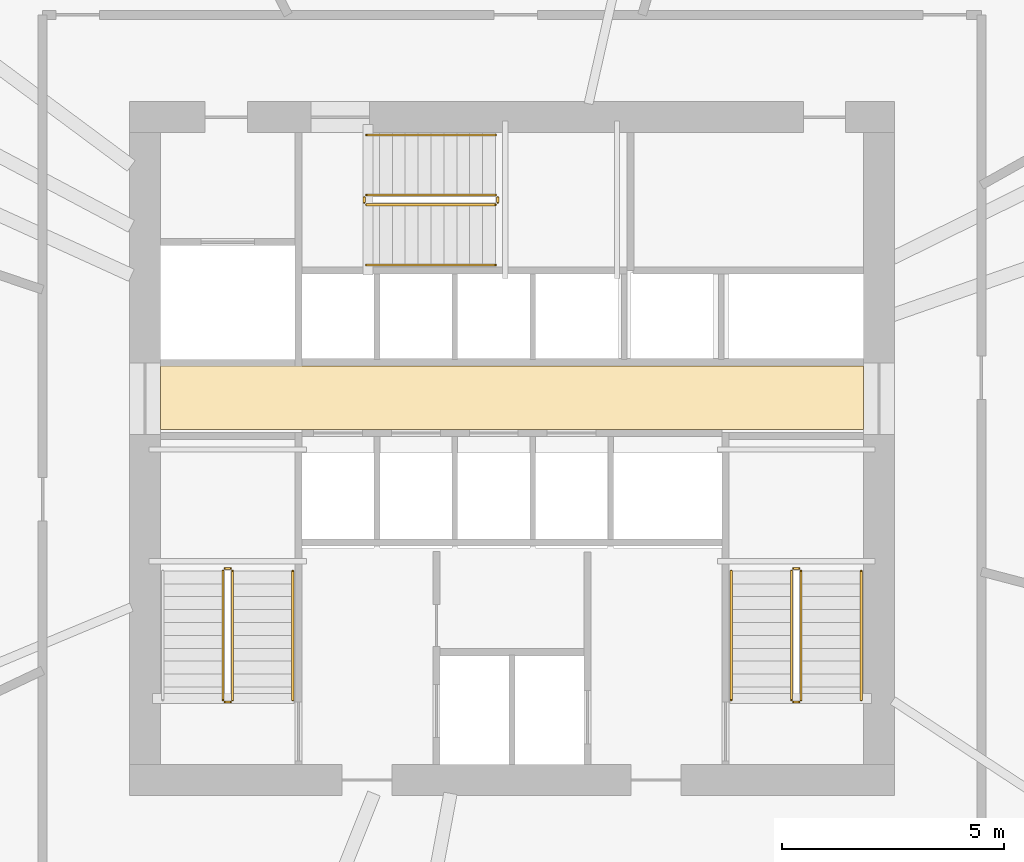
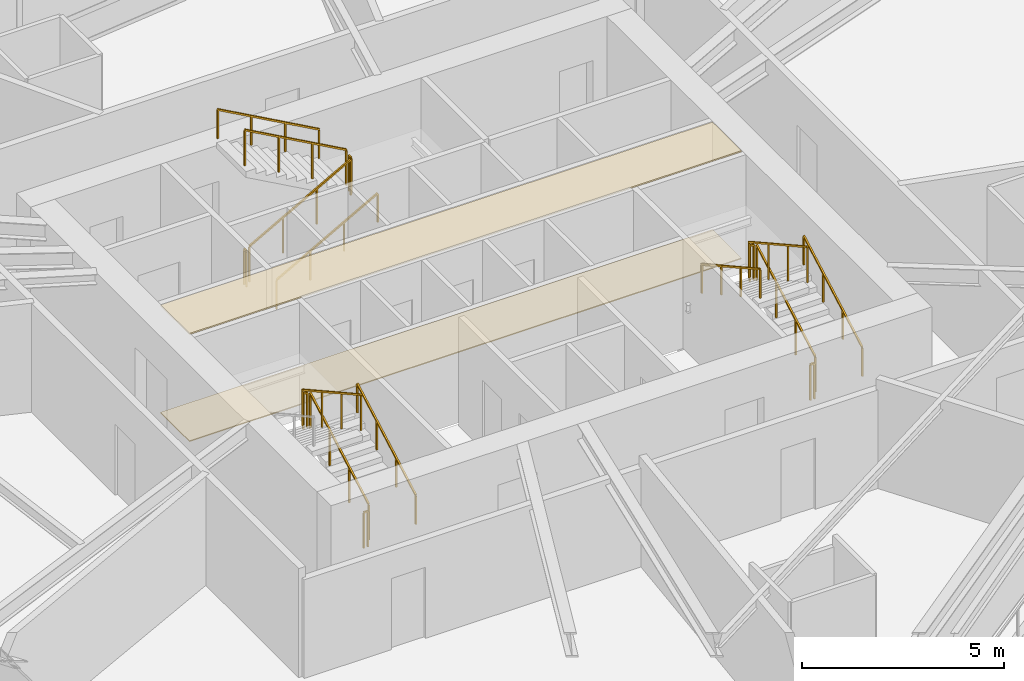
# One storey, part 17 of 18: 17 railings, 2 coverings.
"""IFC4 building model written with IfcOpenShell, lengths in metres."""

from ifc_helpers import new_model, si_unit, direction, frame, origin, origin_2d, place, context, subcontext, project, spatial, polyline, rectangle, outline, extrude, material, layer, layer_set, type_object, element, save


model = new_model("IFC4")

# Units and contexts
model_context = context("Model", 3, precision=1e-05, world=origin(), true_north=direction((0.0, 1.0)))
body_context = subcontext(model_context, "Body", "Model", "MODEL_VIEW")
ifc_project = project(units=[si_unit("LENGTHUNIT", "METRE"), si_unit("AREAUNIT", "SQUARE_METRE"), si_unit("VOLUMEUNIT", "CUBIC_METRE"), si_unit("PLANEANGLEUNIT", "RADIAN"), si_unit("MASSUNIT", "GRAM", prefix="KILO")], contexts=[model_context])

# Site, building, storey
site_placement = place(None, origin())
site = spatial("IfcSite", under=ifc_project, at=site_placement, CompositionType="ELEMENT")
building_placement = place(site_placement, origin())
building = spatial("IfcBuilding", under=site, at=building_placement, Name="Olszyna Solenne Hotel", CompositionType="ELEMENT")
storey_placement = place(building_placement, frame((0.0, 0.0, 123.449951171875)))
storey = spatial("IfcBuildingStorey", under=building, at=storey_placement, Name="L32", CompositionType="ELEMENT", Elevation=123.449951171875)

# Coverings
ifc_material_1 = material(Name="Mineral wool acoustic ceiling")
ifc_layer_1 = layer(ifc_material_1, 0.0400390625, Name="Mineral wool acoustic ceiling")
ifc_layer_set_1 = layer_set([ifc_layer_1], Name="Mineral wool acoustic ceiling")
covering_type_1 = type_object("IfcCoveringType", Name="CL-AC1", PredefinedType="CEILING", material=ifc_layer_set_1)
covering_1_placement = place(storey_placement, frame((0.0, 0.0, 3.239990234375)))
element("IfcCovering", 1, at=covering_1_placement, inside=storey, type_object=covering_type_1, Name="Lift lobby acoustic tile ceiling CL-L32-01", PredefinedType="CEILING", context=body_context, shape_type="SweptSolid", body=[
    extrude(outline(polyline([(30.10009765625, 27.030029296875), (45.89990234375, 27.030029296875), (45.89990234375, 28.4599609375), (30.10009765625, 28.4599609375), (30.10009765625, 27.030029296875)])), origin(), (0.0, 0.0, 1.0), 0.0400390625),
])
ifc_material_2 = material(Name="Ceramic floor tile")
ifc_layer_2 = layer(ifc_material_2, 0.030029296875, Name="Ceramic floor tile")
ifc_layer_set_2 = layer_set([ifc_layer_2], Name="Ceramic floor tile")
covering_type_2 = type_object("IfcCoveringType", Name="FL-TL1", PredefinedType="FLOORING", material=ifc_layer_set_2)
covering_2_placement = place(storey_placement, origin())
element("IfcCovering", 2, at=covering_2_placement, inside=storey, type_object=covering_type_2, Name="Lift lobby stoneware floor finish FLR-L32-01", PredefinedType="FLOORING", context=body_context, shape_type="SweptSolid", body=[
    extrude(outline(polyline([(30.10009765625, 27.030029296875), (45.89990234375, 27.030029296875), (45.89990234375, 28.4599609375), (30.10009765625, 28.4599609375), (30.10009765625, 27.030029296875)])), origin(), (0.0, 0.0, 1.0), 0.030029296875),
])

# Railings
ifc_material_3 = material(Name="Anodised bronze aluminium", Category="aluminium")
railing_type_1 = type_object("IfcRailingType", Name="GR-110", PredefinedType="BALUSTRADE", material=ifc_material_3)
railing_1_placement = place(storey_placement, frame((31.719970703125, 20.949951171875, 0.161376953125)))
element("IfcRailing", 3, at=railing_1_placement, inside=storey, type_object=railing_type_1, Name="L32 ST1 stair guard 1", PredefinedType="BALUSTRADE", context=body_context, shape_type="SweptSolid", body=[
    extrude(rectangle(XDim=0.048095703125, YDim=0.048095703125, at=origin_2d()), frame((0.0, 0.0, 1.076171875), z_axis=(0.0, 0.873827439584, 0.48623616261), x_axis=(-1.0, 0.0, 0.0)), (0.0, 0.0, 1.0), 3.31884765625),
    extrude(rectangle(XDim=0.0419921875, YDim=0.0419921875, at=origin_2d()), origin(), (0.0, 0.0, 1.0), 1.052001953125),
    extrude(rectangle(XDim=0.0419921875, YDim=0.0419921875, at=origin_2d()), frame((0.0, 0.966796875, 0.537841796875)), (0.0, 0.0, 1.0), 1.052001953125),
    extrude(rectangle(XDim=0.0419921875, YDim=0.0419921875, at=origin_2d()), frame((0.0, 1.933349609375, 1.075927734375)), (0.0, 0.0, 1.0), 1.052001953125),
    extrude(rectangle(XDim=0.0419921875, YDim=0.0419921875, at=origin_2d()), frame((0.0, 2.900146484375, 1.61376953125)), (0.0, 0.0, 1.0), 1.052001953125),
])
railing_2_placement = place(storey_placement, frame((31.669921875, 23.89990234375, 1.775146484375)))
element("IfcRailing", 4, at=railing_2_placement, inside=storey, type_object=railing_type_1, Name="L32 ST1 stair guard 2", PredefinedType="BALUSTRADE", context=body_context, shape_type="SweptSolid", body=[
    extrude(rectangle(XDim=0.048095703125, YDim=0.048095703125, at=origin_2d()), frame((0.0, 0.0, 1.076171875), z_axis=(-1.0, 0.0, 0.0), x_axis=(0.0, -1.0, 0.0)), (0.0, 0.0, 1.0), 0.119873046875),
    extrude(rectangle(XDim=0.0419921875, YDim=0.0419921875, at=origin_2d()), origin(), (0.0, 0.0, 1.0), 1.052001953125),
    extrude(rectangle(XDim=0.0419921875, YDim=0.0419921875, at=origin_2d()), frame((-0.119873046875, 0.0, 0.0)), (0.0, 0.0, 1.0), 1.052001953125),
])
railing_3_placement = place(storey_placement, frame((31.5, 23.85009765625, 1.9365234375)))
element("IfcRailing", 5, at=railing_3_placement, inside=storey, type_object=railing_type_1, Name="L32 ST1 stair guard 3", PredefinedType="BALUSTRADE", context=body_context, shape_type="SweptSolid", body=[
    extrude(rectangle(XDim=0.048095703125, YDim=0.048095703125, at=origin_2d()), frame((0.0, 0.0, 1.076171875), z_axis=(0.0, -0.873858693841, 0.486179990537), x_axis=(1.0, 0.0, 0.0)), (0.0, 0.0, 1.0), 3.31884765625),
    extrude(rectangle(XDim=0.0419921875, YDim=0.0419921875, at=origin_2d()), origin(), (0.0, 0.0, 1.0), 1.052001953125),
    extrude(rectangle(XDim=0.0419921875, YDim=0.0419921875, at=origin_2d()), frame((0.0, -0.966796875, 0.537841796875)), (0.0, 0.0, 1.0), 1.052001953125),
    extrude(rectangle(XDim=0.0419921875, YDim=0.0419921875, at=origin_2d()), frame((0.0, -1.933349609375, 1.07568359375)), (0.0, 0.0, 1.0), 1.052001953125),
    extrude(rectangle(XDim=0.0419921875, YDim=0.0419921875, at=origin_2d()), frame((0.0, -2.900146484375, 1.613525390625)), (0.0, 0.0, 1.0), 1.052001953125),
])
railing_4_placement = place(storey_placement, frame((31.669921875, 20.89990234375, 0.0)))
element("IfcRailing", 6, at=railing_4_placement, inside=storey, type_object=railing_type_1, Name="L32 ST1 stair guard 4", PredefinedType="BALUSTRADE", context=body_context, shape_type="SweptSolid", body=[
    extrude(rectangle(XDim=0.048095703125, YDim=0.048095703125, at=origin_2d()), frame((0.0, 0.0, 1.076171875), z_axis=(-1.0, 0.0, 0.0), x_axis=(0.0, -1.0, 0.0)), (0.0, 0.0, 1.0), 0.119873046875),
    extrude(rectangle(XDim=0.0419921875, YDim=0.0419921875, at=origin_2d()), origin(), (0.0, 0.0, 1.0), 1.052001953125),
    extrude(rectangle(XDim=0.0419921875, YDim=0.0419921875, at=origin_2d()), frame((-0.119873046875, 0.0, 0.0)), (0.0, 0.0, 1.0), 1.052001953125),
])
railing_5_placement = place(storey_placement, frame((44.5, 20.949951171875, 0.161376953125)))
element("IfcRailing", 7, at=railing_5_placement, inside=storey, type_object=railing_type_1, Name="L32 ST2 stair guard 1", PredefinedType="BALUSTRADE", context=body_context, shape_type="SweptSolid", body=[
    extrude(rectangle(XDim=0.048095703125, YDim=0.048095703125, at=origin_2d()), frame((0.0, 0.0, 1.076171875), z_axis=(0.0, 0.873827439584, 0.48623616261), x_axis=(-1.0, 0.0, 0.0)), (0.0, 0.0, 1.0), 3.31884765625),
    extrude(rectangle(XDim=0.0419921875, YDim=0.0419921875, at=origin_2d()), origin(), (0.0, 0.0, 1.0), 1.052001953125),
    extrude(rectangle(XDim=0.0419921875, YDim=0.0419921875, at=origin_2d()), frame((0.0, 0.966796875, 0.537841796875)), (0.0, 0.0, 1.0), 1.052001953125),
    extrude(rectangle(XDim=0.0419921875, YDim=0.0419921875, at=origin_2d()), frame((0.0, 1.933349609375, 1.075927734375)), (0.0, 0.0, 1.0), 1.052001953125),
    extrude(rectangle(XDim=0.0419921875, YDim=0.0419921875, at=origin_2d()), frame((0.0, 2.900146484375, 1.61376953125)), (0.0, 0.0, 1.0), 1.052001953125),
])
railing_6_placement = place(storey_placement, frame((44.449951171875, 23.89990234375, 1.775146484375)))
element("IfcRailing", 8, at=railing_6_placement, inside=storey, type_object=railing_type_1, Name="L32 ST2 stair guard 2", PredefinedType="BALUSTRADE", context=body_context, shape_type="SweptSolid", body=[
    extrude(rectangle(XDim=0.048095703125, YDim=0.048095703125, at=origin_2d()), frame((0.0, 0.0, 1.076171875), z_axis=(-1.0, 0.0, 0.0), x_axis=(0.0, -1.0, 0.0)), (0.0, 0.0, 1.0), 0.119873046875),
    extrude(rectangle(XDim=0.0419921875, YDim=0.0419921875, at=origin_2d()), origin(), (0.0, 0.0, 1.0), 1.052001953125),
    extrude(rectangle(XDim=0.0419921875, YDim=0.0419921875, at=origin_2d()), frame((-0.119873046875, 0.0, 0.0)), (0.0, 0.0, 1.0), 1.052001953125),
])
railing_7_placement = place(storey_placement, frame((44.280029296875, 23.85009765625, 1.9365234375)))
element("IfcRailing", 9, at=railing_7_placement, inside=storey, type_object=railing_type_1, Name="L32 ST2 stair guard 3", PredefinedType="BALUSTRADE", context=body_context, shape_type="SweptSolid", body=[
    extrude(rectangle(XDim=0.048095703125, YDim=0.048095703125, at=origin_2d()), frame((0.0, 0.0, 1.076171875), z_axis=(0.0, -0.873858693841, 0.486179990537), x_axis=(1.0, 0.0, 0.0)), (0.0, 0.0, 1.0), 3.31884765625),
    extrude(rectangle(XDim=0.0419921875, YDim=0.0419921875, at=origin_2d()), origin(), (0.0, 0.0, 1.0), 1.052001953125),
    extrude(rectangle(XDim=0.0419921875, YDim=0.0419921875, at=origin_2d()), frame((0.0, -0.966796875, 0.537841796875)), (0.0, 0.0, 1.0), 1.052001953125),
    extrude(rectangle(XDim=0.0419921875, YDim=0.0419921875, at=origin_2d()), frame((0.0, -1.933349609375, 1.07568359375)), (0.0, 0.0, 1.0), 1.052001953125),
    extrude(rectangle(XDim=0.0419921875, YDim=0.0419921875, at=origin_2d()), frame((0.0, -2.900146484375, 1.613525390625)), (0.0, 0.0, 1.0), 1.052001953125),
])
railing_8_placement = place(storey_placement, frame((44.449951171875, 20.89990234375, 0.0)))
element("IfcRailing", 10, at=railing_8_placement, inside=storey, type_object=railing_type_1, Name="L32 ST2 stair guard 4", PredefinedType="BALUSTRADE", context=body_context, shape_type="SweptSolid", body=[
    extrude(rectangle(XDim=0.048095703125, YDim=0.048095703125, at=origin_2d()), frame((0.0, 0.0, 1.076171875), z_axis=(-1.0, 0.0, 0.0), x_axis=(0.0, -1.0, 0.0)), (0.0, 0.0, 1.0), 0.119873046875),
    extrude(rectangle(XDim=0.0419921875, YDim=0.0419921875, at=origin_2d()), origin(), (0.0, 0.0, 1.0), 1.052001953125),
    extrude(rectangle(XDim=0.0419921875, YDim=0.0419921875, at=origin_2d()), frame((-0.119873046875, 0.0, 0.0)), (0.0, 0.0, 1.0), 1.052001953125),
])
railing_9_placement = place(storey_placement, frame((34.72998046875, 32.080078125, 0.161376953125)))
element("IfcRailing", 11, at=railing_9_placement, inside=storey, type_object=railing_type_1, Name="L32 ST3 stair guard 1", PredefinedType="BALUSTRADE", context=body_context, shape_type="SweptSolid", body=[
    extrude(rectangle(XDim=0.048095703125, YDim=0.048095703125, at=origin_2d()), frame((0.0, 0.0, 1.076171875), z_axis=(0.873810046276, 0.0, 0.486267419253), x_axis=(0.0, 1.0, 0.0)), (0.0, 0.0, 1.0), 3.318603515625),
    extrude(rectangle(XDim=0.0419921875, YDim=0.0419921875, at=origin_2d()), origin(), (0.0, 0.0, 1.0), 1.052001953125),
    extrude(rectangle(XDim=0.0419921875, YDim=0.0419921875, at=origin_2d()), frame((0.966552734375, 0.0, 0.537841796875)), (0.0, 0.0, 1.0), 1.052001953125),
    extrude(rectangle(XDim=0.0419921875, YDim=0.0419921875, at=origin_2d()), frame((1.933349609375, 0.0, 1.075927734375)), (0.0, 0.0, 1.0), 1.052001953125),
    extrude(rectangle(XDim=0.0419921875, YDim=0.0419921875, at=origin_2d()), frame((2.89990234375, 0.0, 1.61376953125)), (0.0, 0.0, 1.0), 1.052001953125),
])
railing_10_placement = place(storey_placement, frame((37.679931640625, 32.1298828125, 1.775146484375)))
element("IfcRailing", 12, at=railing_10_placement, inside=storey, type_object=railing_type_1, Name="L32 ST3 stair guard 2", PredefinedType="BALUSTRADE", context=body_context, shape_type="SweptSolid", body=[
    extrude(rectangle(XDim=0.048095703125, YDim=0.048095703125, at=origin_2d()), frame((0.0, 0.0, 1.076171875), z_axis=(0.0, 1.0, 0.0), x_axis=(-1.0, 0.0, 0.0)), (0.0, 0.0, 1.0), 0.1201171875),
    extrude(rectangle(XDim=0.0419921875, YDim=0.0419921875, at=origin_2d()), origin(), (0.0, 0.0, 1.0), 1.052001953125),
    extrude(rectangle(XDim=0.0419921875, YDim=0.0419921875, at=origin_2d()), frame((0.0, 0.1201171875, 0.0)), (0.0, 0.0, 1.0), 1.052001953125),
])
railing_11_placement = place(storey_placement, frame((37.6298828125, 32.300048828125, 1.9365234375)))
element("IfcRailing", 13, at=railing_11_placement, inside=storey, type_object=railing_type_1, Name="L32 ST3 stair guard 3", PredefinedType="BALUSTRADE", context=body_context, shape_type="SweptSolid", body=[
    extrude(rectangle(XDim=0.048095703125, YDim=0.048095703125, at=origin_2d()), frame((0.0, 0.0, 1.076171875), z_axis=(-0.873841303929, 0.0, 0.486211245805), x_axis=(0.0, -1.0, 0.0)), (0.0, 0.0, 1.0), 3.318603515625),
    extrude(rectangle(XDim=0.0419921875, YDim=0.0419921875, at=origin_2d()), origin(), (0.0, 0.0, 1.0), 1.052001953125),
    extrude(rectangle(XDim=0.0419921875, YDim=0.0419921875, at=origin_2d()), frame((-0.966552734375, 0.0, 0.537841796875)), (0.0, 0.0, 1.0), 1.052001953125),
    extrude(rectangle(XDim=0.0419921875, YDim=0.0419921875, at=origin_2d()), frame((-1.933349609375, 0.0, 1.07568359375)), (0.0, 0.0, 1.0), 1.052001953125),
    extrude(rectangle(XDim=0.0419921875, YDim=0.0419921875, at=origin_2d()), frame((-2.89990234375, 0.0, 1.613525390625)), (0.0, 0.0, 1.0), 1.052001953125),
])
railing_12_placement = place(storey_placement, frame((34.679931640625, 32.1298828125, 0.0)))
element("IfcRailing", 14, at=railing_12_placement, inside=storey, type_object=railing_type_1, Name="L32 ST3 stair guard 4", PredefinedType="BALUSTRADE", context=body_context, shape_type="SweptSolid", body=[
    extrude(rectangle(XDim=0.048095703125, YDim=0.048095703125, at=origin_2d()), frame((0.0, 0.0, 1.076171875), z_axis=(0.0, 1.0, 0.0), x_axis=(-1.0, 0.0, 0.0)), (0.0, 0.0, 1.0), 0.1201171875),
    extrude(rectangle(XDim=0.0419921875, YDim=0.0419921875, at=origin_2d()), origin(), (0.0, 0.0, 1.0), 1.052001953125),
    extrude(rectangle(XDim=0.0419921875, YDim=0.0419921875, at=origin_2d()), frame((0.0, 0.1201171875, 0.0)), (0.0, 0.0, 1.0), 1.052001953125),
])
ifc_material_4 = material(Name="Steel S355J2", Category="steel")
railing_type_2 = type_object("IfcRailingType", Name="HR-090", PredefinedType="HANDRAIL", material=ifc_material_4)
for number, where, name in (
    (15, (33.070068359375, 20.949951171875, 0.161376953125), "L32 ST1 stair handrail 1"),
    (16, (45.85009765625, 20.949951171875, 0.161376953125), "L32 ST2 stair handrail 1"),
):
    element("IfcRailing", number, at=place(storey_placement, frame(where)), inside=storey, type_object=railing_type_2, Name=name, PredefinedType="HANDRAIL", context=body_context, shape_type="SweptSolid", body=[
        extrude(rectangle(XDim=0.048095703125, YDim=0.048095703125, at=origin_2d()), frame((0.0, 0.0, 0.8759765625), z_axis=(0.0, 0.873827439584, 0.48623616261), x_axis=(-1.0, 0.0, 0.0)), (0.0, 0.0, 1.0), 3.31884765625),
        extrude(rectangle(XDim=0.0419921875, YDim=0.0419921875, at=origin_2d()), origin(), (0.0, 0.0, 1.0), 0.851806640625),
        extrude(rectangle(XDim=0.0419921875, YDim=0.0419921875, at=origin_2d()), frame((0.0, 0.966796875, 0.537841796875)), (0.0, 0.0, 1.0), 0.851806640625),
        extrude(rectangle(XDim=0.0419921875, YDim=0.0419921875, at=origin_2d()), frame((0.0, 1.933349609375, 1.075927734375)), (0.0, 0.0, 1.0), 0.851806640625),
        extrude(rectangle(XDim=0.0419921875, YDim=0.0419921875, at=origin_2d()), frame((0.0, 2.900146484375, 1.61376953125)), (0.0, 0.0, 1.0), 0.851806640625),
    ])
railing_13_placement = place(storey_placement, frame((42.929931640625, 23.85009765625, 1.9365234375)))
element("IfcRailing", 17, at=railing_13_placement, inside=storey, type_object=railing_type_2, Name="L32 ST2 stair handrail 2", PredefinedType="HANDRAIL", context=body_context, shape_type="SweptSolid", body=[
    extrude(rectangle(XDim=0.048095703125, YDim=0.048095703125, at=origin_2d()), frame((0.0, 0.0, 0.8759765625), z_axis=(0.0, -0.873858693841, 0.486179990537), x_axis=(1.0, 0.0, 0.0)), (0.0, 0.0, 1.0), 3.31884765625),
    extrude(rectangle(XDim=0.0419921875, YDim=0.0419921875, at=origin_2d()), origin(), (0.0, 0.0, 1.0), 0.851806640625),
    extrude(rectangle(XDim=0.0419921875, YDim=0.0419921875, at=origin_2d()), frame((0.0, -0.966796875, 0.537841796875)), (0.0, 0.0, 1.0), 0.851806640625),
    extrude(rectangle(XDim=0.0419921875, YDim=0.0419921875, at=origin_2d()), frame((0.0, -1.933349609375, 1.07568359375)), (0.0, 0.0, 1.0), 0.851806640625),
    extrude(rectangle(XDim=0.0419921875, YDim=0.0419921875, at=origin_2d()), frame((0.0, -2.900146484375, 1.613525390625)), (0.0, 0.0, 1.0), 0.851806640625),
])
railing_14_placement = place(storey_placement, frame((34.72998046875, 30.72998046875, 0.161376953125)))
element("IfcRailing", 18, at=railing_14_placement, inside=storey, type_object=railing_type_2, Name="L32 ST3 stair handrail 1", PredefinedType="HANDRAIL", context=body_context, shape_type="SweptSolid", body=[
    extrude(rectangle(XDim=0.048095703125, YDim=0.048095703125, at=origin_2d()), frame((0.0, 0.0, 0.8759765625), z_axis=(0.873810046276, 0.0, 0.486267419253), x_axis=(0.0, 1.0, 0.0)), (0.0, 0.0, 1.0), 3.318603515625),
    extrude(rectangle(XDim=0.0419921875, YDim=0.0419921875, at=origin_2d()), origin(), (0.0, 0.0, 1.0), 0.851806640625),
    extrude(rectangle(XDim=0.0419921875, YDim=0.0419921875, at=origin_2d()), frame((0.966552734375, 0.0, 0.537841796875)), (0.0, 0.0, 1.0), 0.851806640625),
    extrude(rectangle(XDim=0.0419921875, YDim=0.0419921875, at=origin_2d()), frame((1.933349609375, 0.0, 1.075927734375)), (0.0, 0.0, 1.0), 0.851806640625),
    extrude(rectangle(XDim=0.0419921875, YDim=0.0419921875, at=origin_2d()), frame((2.89990234375, 0.0, 1.61376953125)), (0.0, 0.0, 1.0), 0.851806640625),
])
railing_15_placement = place(storey_placement, frame((37.6298828125, 33.64990234375, 1.9365234375)))
element("IfcRailing", 19, at=railing_15_placement, inside=storey, type_object=railing_type_2, Name="L32 ST3 stair handrail 2", PredefinedType="HANDRAIL", context=body_context, shape_type="SweptSolid", body=[
    extrude(rectangle(XDim=0.048095703125, YDim=0.048095703125, at=origin_2d()), frame((0.0, 0.0, 0.8759765625), z_axis=(-0.873841303929, 0.0, 0.486211245805), x_axis=(0.0, -1.0, 0.0)), (0.0, 0.0, 1.0), 3.318603515625),
    extrude(rectangle(XDim=0.0419921875, YDim=0.0419921875, at=origin_2d()), origin(), (0.0, 0.0, 1.0), 0.851806640625),
    extrude(rectangle(XDim=0.0419921875, YDim=0.0419921875, at=origin_2d()), frame((-0.966552734375, 0.0, 0.537841796875)), (0.0, 0.0, 1.0), 0.851806640625),
    extrude(rectangle(XDim=0.0419921875, YDim=0.0419921875, at=origin_2d()), frame((-1.933349609375, 0.0, 1.07568359375)), (0.0, 0.0, 1.0), 0.851806640625),
    extrude(rectangle(XDim=0.0419921875, YDim=0.0419921875, at=origin_2d()), frame((-2.89990234375, 0.0, 1.613525390625)), (0.0, 0.0, 1.0), 0.851806640625),
])

save(model, "model.ifc")
